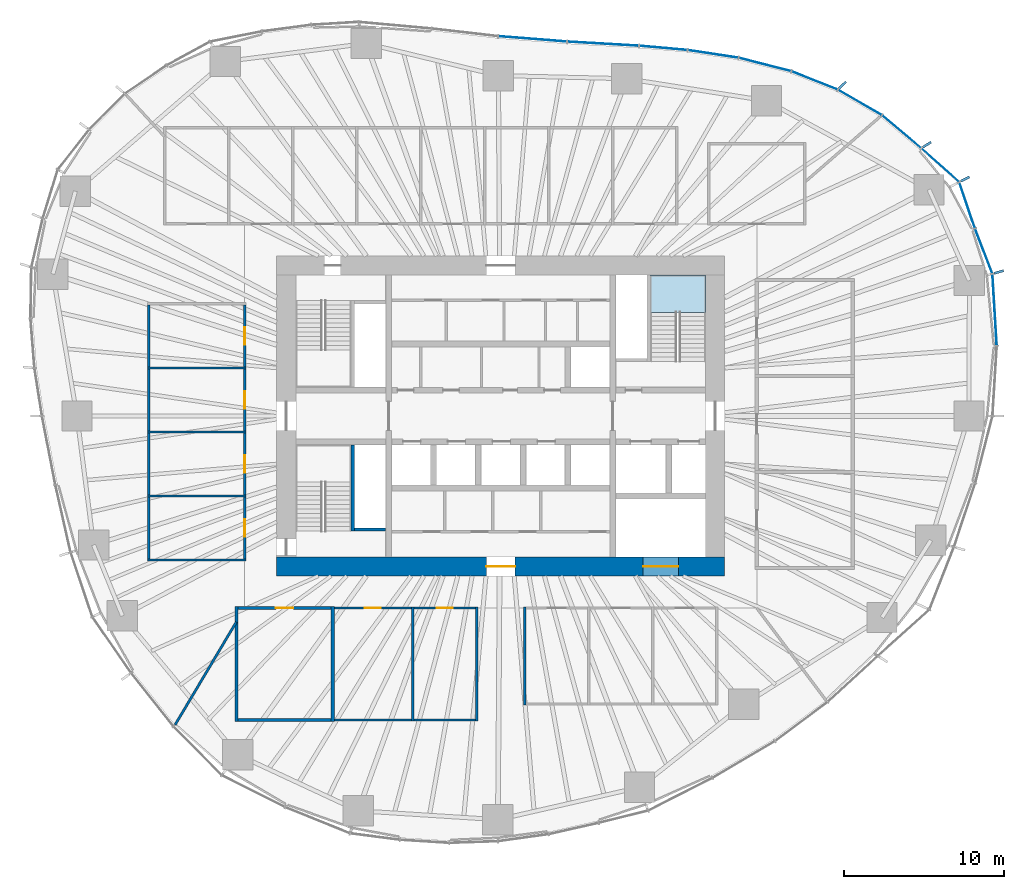
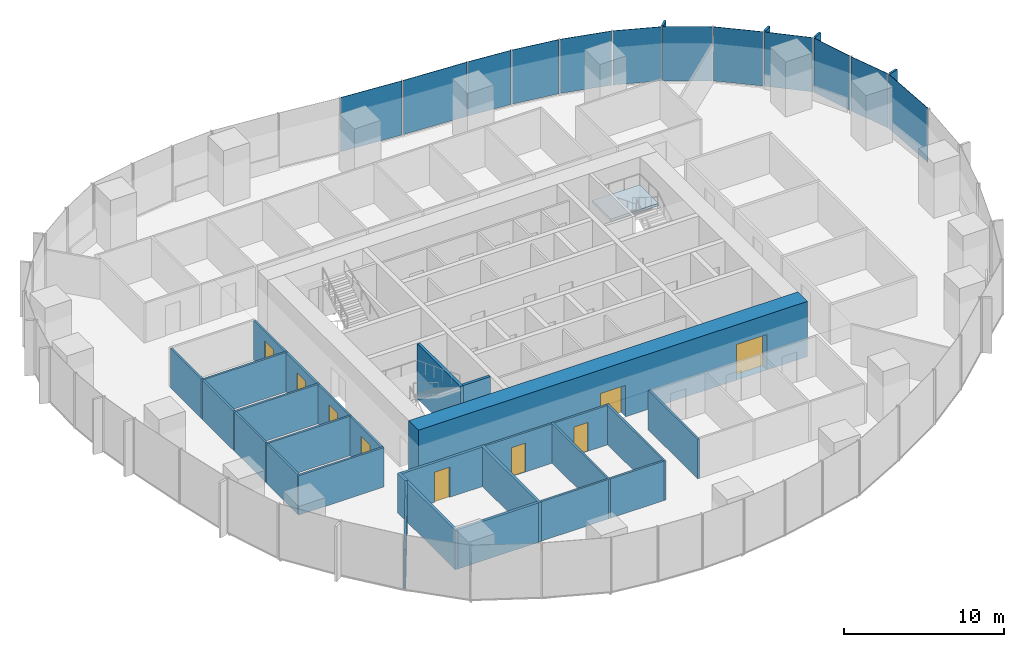
# One storey, part 8 of 20: 27 walls, 16 plates, 9 doors, 1 slab, 9 openings, 6 elements without a shape of their own.
"""IFC4 building model written with IfcOpenShell, lengths in metres."""

from ifc_helpers import new_model, si_unit, direction, frame, frame_2d, origin, origin_2d, place, context, subcontext, project, spatial, polyline, rectangle, outline, extrude, material, layer, layer_set, type_object, element, fill, aggregate, save


model = new_model("IFC4")

# Units and contexts
model_context = context("Model", 3, precision=1e-05, world=origin(), true_north=direction((0.0, 1.0)))
body_context = subcontext(model_context, "Body", "Model", "MODEL_VIEW")
ifc_project = project(units=[si_unit("LENGTHUNIT", "METRE"), si_unit("AREAUNIT", "SQUARE_METRE"), si_unit("VOLUMEUNIT", "CUBIC_METRE"), si_unit("PLANEANGLEUNIT", "RADIAN"), si_unit("MASSUNIT", "GRAM", prefix="KILO")], contexts=[model_context])

# Site, building, storey
site_placement = place(None, origin())
site = spatial("IfcSite", under=ifc_project, at=site_placement, CompositionType="ELEMENT")
building_placement = place(site_placement, origin())
building = spatial("IfcBuilding", under=site, at=building_placement, Name="Ghaith Harvest Tower", CompositionType="ELEMENT")
storey_placement = place(building_placement, frame((0.0, 0.0, 109.199951171875)))
storey = spatial("IfcBuildingStorey", under=building, at=storey_placement, Name="L22", CompositionType="ELEMENT", Elevation=109.199951171875)

# Curtain wall, plate
ifc_material_1 = material(Name="Black anodised aluminium and fritted glass", Category="aluminium")
curtain_wall_type = type_object("IfcCurtainWallType", Name="CW-L CURTAIN WALL", PredefinedType="NOTDEFINED", material=ifc_material_1)
curtain_wall_1_placement = place(storey_placement, origin())
curtain_wall_1 = element("IfcCurtainWall", 1, at=curtain_wall_1_placement, inside=storey, type_object=curtain_wall_type, Name="Curtain wall CW-L bay 01 L22", PredefinedType="NOTDEFINED")
ifc_material_2 = material(Name="Glass, dark solar-control fritted double glazed unit", Category="glass")
ifc_layer_1 = layer(ifc_material_2, 0.031982421875)
ifc_layer_set_1 = layer_set([ifc_layer_1], Name="CW-L VISION PANEL")
plate_type_1 = type_object("IfcPlateType", Name="CW-L VISION PANEL", PredefinedType="CURTAIN_PANEL", material=ifc_layer_set_1)
plate_1_placement = place(storey_placement, frame((30.863037109375, 6.63525390625, 0.080078125), z_axis=(0.0, 0.0, 1.0), x_axis=(-0.060320650032, 0.998179051663, 0.0)))
plate_1 = element("IfcPlate", 2, at=plate_1_placement, type_object=plate_type_1, Name="CW-L glass unit 2 bay 01 L22", PredefinedType="CURTAIN_PANEL", context=body_context, shape_type="SweptSolid", body=[
    extrude(rectangle(XDim=4.419189453125, YDim=0.031982421875, at=origin_2d()), origin(), (0.0, 0.0, 1.0), 4.1201171875),
])
aggregate(curtain_wall_1, [plate_1])

# Curtain wall, plates
curtain_wall_2_placement = place(storey_placement, origin())
curtain_wall_2 = element("IfcCurtainWall", 3, at=curtain_wall_2_placement, inside=storey, type_object=curtain_wall_type, Name="Curtain wall CW-L bay 02 L22", PredefinedType="NOTDEFINED")
plate_2_placement = place(storey_placement, frame((30.180908203125, 10.29833984375, 0.080078125), z_axis=(0.0, 0.0, 1.0), x_axis=(-0.359676824997, 0.933076943001, 0.0)))
plate_2 = element("IfcPlate", 4, at=plate_2_placement, type_object=plate_type_1, Name="CW-L glass unit 1 bay 02 L22", PredefinedType="CURTAIN_PANEL", context=body_context, shape_type="SweptSolid", body=[
    extrude(rectangle(XDim=2.95849609375, YDim=0.031982421875, at=origin_2d()), origin(), (0.0, 0.0, 1.0), 4.1201171875),
])
plate_3_placement = place(storey_placement, frame((29.142333984375, 13.163818359375, 0.080078125), z_axis=(0.0, 0.0, 1.0), x_axis=(-0.321853304376, 0.946789549194, 0.0)))
plate_3 = element("IfcPlate", 5, at=plate_3_placement, type_object=plate_type_1, Name="CW-L glass unit 2 bay 02 L22", PredefinedType="CURTAIN_PANEL", context=body_context, shape_type="SweptSolid", body=[
    extrude(rectangle(XDim=2.978759765625, YDim=0.031982421875, at=origin_2d()), origin(), (0.0, 0.0, 1.0), 4.1201171875),
])
plate_4_placement = place(storey_placement, frame((27.46533203125, 15.668701171875, 0.080078125), z_axis=(0.0, 0.0, 1.0), x_axis=(-0.746250544556, 0.665665174656, 0.0)))
plate_4 = element("IfcPlate", 6, at=plate_4_placement, type_object=plate_type_1, Name="CW-L glass unit 3 bay 02 L22", PredefinedType="CURTAIN_PANEL", context=body_context, shape_type="SweptSolid", body=[
    extrude(rectangle(XDim=3.094970703125, YDim=0.031982421875, at=origin_2d()), origin(), (0.0, 0.0, 1.0), 4.1201171875),
])
aggregate(curtain_wall_2, [plate_2, plate_3, plate_4])

curtain_wall_3_placement = place(storey_placement, origin())
curtain_wall_3 = element("IfcCurtainWall", 7, at=curtain_wall_3_placement, inside=storey, type_object=curtain_wall_type, Name="Curtain wall CW-L bay 03 L22", PredefinedType="NOTDEFINED")
plate_5_placement = place(storey_placement, frame((25.05126953125, 17.7587890625, 0.080078125), z_axis=(0.0, 0.0, 1.0), x_axis=(-0.765473064857, 0.643467937801, 0.0)))
plate_5 = element("IfcPlate", 8, at=plate_5_placement, type_object=plate_type_1, Name="CW-L glass unit 1 bay 03 L22", PredefinedType="CURTAIN_PANEL", context=body_context, shape_type="SweptSolid", body=[
    extrude(rectangle(XDim=3.13232421875, YDim=0.031982421875, at=origin_2d()), origin(), (0.0, 0.0, 1.0), 4.1201171875),
])
plate_6_placement = place(storey_placement, frame((22.444091796875, 19.590576171875, 0.080078125), z_axis=(0.0, 0.0, 1.0), x_axis=(-0.865232087993, 0.501371552751, 0.0)))
plate_6 = element("IfcPlate", 9, at=plate_6_placement, type_object=plate_type_1, Name="CW-L glass unit 2 bay 03 L22", PredefinedType="CURTAIN_PANEL", context=body_context, shape_type="SweptSolid", body=[
    extrude(rectangle(XDim=3.10498046875, YDim=0.031982421875, at=origin_2d()), origin(), (0.0, 0.0, 1.0), 4.1201171875),
])
plate_7_placement = place(storey_placement, frame((19.6142578125, 20.963623046875, 0.080078125), z_axis=(0.0, 0.0, 1.0), x_axis=(-0.929876534019, 0.367871759558, 0.0)))
plate_7 = element("IfcPlate", 10, at=plate_7_placement, type_object=plate_type_1, Name="CW-L glass unit 3 bay 03 L22", PredefinedType="CURTAIN_PANEL", context=body_context, shape_type="SweptSolid", body=[
    extrude(rectangle(XDim=3.042724609375, YDim=0.031982421875, at=origin_2d()), origin(), (0.0, 0.0, 1.0), 4.1201171875),
])
aggregate(curtain_wall_3, [plate_5, plate_6, plate_7])

curtain_wall_4_placement = place(storey_placement, origin())
curtain_wall_4 = element("IfcCurtainWall", 11, at=curtain_wall_4_placement, inside=storey, type_object=curtain_wall_type, Name="Curtain wall CW-L bay 04 L22", PredefinedType="NOTDEFINED")
plate_8_placement = place(storey_placement, frame((16.513427734375, 21.958740234375, 0.080078125), z_axis=(0.0, 0.0, 1.0), x_axis=(-0.96893110987, 0.247330758955, 0.0)))
plate_8 = element("IfcPlate", 12, at=plate_8_placement, type_object=plate_type_1, Name="CW-L glass unit 1 bay 04 L22", PredefinedType="CURTAIN_PANEL", context=body_context, shape_type="SweptSolid", body=[
    extrude(rectangle(XDim=3.3232421875, YDim=0.031982421875, at=origin_2d()), origin(), (0.0, 0.0, 1.0), 4.1201171875),
])
plate_9_placement = place(storey_placement, frame((13.2685546875, 22.621826171875, 0.080078125), z_axis=(0.0, 0.0, 1.0), x_axis=(-0.988678736369, 0.150047846542, 0.0)))
plate_9 = element("IfcPlate", 13, at=plate_9_placement, type_object=plate_type_1, Name="CW-L glass unit 2 bay 04 L22", PredefinedType="CURTAIN_PANEL", context=body_context, shape_type="SweptSolid", body=[
    extrude(rectangle(XDim=3.14892578125, YDim=0.031982421875, at=origin_2d()), origin(), (0.0, 0.0, 1.0), 4.1201171875),
])
plate_10_placement = place(storey_placement, frame((10.15966796875, 22.9970703125, 0.080078125), z_axis=(0.0, 0.0, 1.0), x_axis=(-0.996166190972, 0.087480969151, 0.0)))
plate_10 = element("IfcPlate", 14, at=plate_10_placement, type_object=plate_type_1, Name="CW-L glass unit 3 bay 04 L22", PredefinedType="CURTAIN_PANEL", context=body_context, shape_type="SweptSolid", body=[
    extrude(rectangle(XDim=2.957275390625, YDim=0.031982421875, at=origin_2d()), origin(), (0.0, 0.0, 1.0), 4.1201171875),
])
aggregate(curtain_wall_4, [plate_8, plate_9, plate_10])

curtain_wall_5_placement = place(storey_placement, origin())
curtain_wall_5 = element("IfcCurtainWall", 15, at=curtain_wall_5_placement, inside=storey, type_object=curtain_wall_type, Name="Curtain wall CW-L bay 05 L22", PredefinedType="NOTDEFINED")
plate_11_placement = place(storey_placement, frame((6.396728515625, 23.260498046875, 0.080078125), z_axis=(0.0, 0.0, 1.0), x_axis=(-0.998320798751, 0.05792739233, 0.0)))
plate_11 = element("IfcPlate", 16, at=plate_11_placement, type_object=plate_type_1, Name="CW-L glass unit 1 bay 05 L22", PredefinedType="CURTAIN_PANEL", context=body_context, shape_type="SweptSolid", body=[
    extrude(rectangle(XDim=4.427734375, YDim=0.031982421875, at=origin_2d()), origin(), (0.0, 0.0, 1.0), 4.1201171875),
])
plate_12_placement = place(storey_placement, frame((1.9921875, 23.560302734375, 0.080078125), z_axis=(0.0, 0.0, 1.0), x_axis=(-0.996925121312, 0.078360082291, 0.0)))
plate_12 = element("IfcPlate", 17, at=plate_12_placement, type_object=plate_type_1, Name="CW-L glass unit 2 bay 05 L22", PredefinedType="CURTAIN_PANEL", context=body_context, shape_type="SweptSolid", body=[
    extrude(rectangle(XDim=4.242431640625, YDim=0.031982421875, at=origin_2d()), origin(), (0.0, 0.0, 1.0), 4.1201171875),
])
aggregate(curtain_wall_5, [plate_11, plate_12])

# Stair, slab
ifc_material_3 = material(Name="Concrete C40/50, precast", Category="concrete")
stair_type = type_object("IfcStairType", Name="CORE STAIR 24R", PredefinedType="HALF_TURN_STAIR", material=ifc_material_3)
stair_placement = place(storey_placement, origin())
stair = element("IfcStair", 18, at=stair_placement, inside=storey, type_object=stair_type, Name="Stair ST2 L22", PredefinedType="HALF_TURN_STAIR")
ifc_material_4 = material(Name="Concrete C40/50, precast", Category="concrete")
ifc_layer_2 = layer(ifc_material_4, 0.179931640625)
ifc_layer_set_2 = layer_set([ifc_layer_2], Name="STAIR LANDING 180")
slab_type = type_object("IfcSlabType", Name="STAIR LANDING 180", PredefinedType="LANDING", material=ifc_layer_set_2)
slab_placement = place(storey_placement, frame((0.0, 0.0, 1.920166015625)))
slab = element("IfcSlab", 19, at=slab_placement, type_object=slab_type, Name="ST2 landing 1", PredefinedType="LANDING", context=body_context, shape_type="SweptSolid", body=[
    extrude(outline(polyline([(12.800048828125, 6.4599609375), (12.800048828125, 8.800048828125), (9.35009765625, 8.800048828125), (9.35009765625, 6.4599609375), (12.800048828125, 6.4599609375)])), origin(), (0.0, 0.0, 1.0), 0.179931640625),
])
aggregate(stair, [slab])

# Plates
ifc_material_5 = material(Name="Glassfibre-reinforced concrete", Category="concrete")
ifc_layer_3 = layer(ifc_material_5, 0.14990234375)
ifc_layer_set_3 = layer_set([ifc_layer_3], Name="SUN-BREAKER FIN 600x150")
plate_type_2 = type_object("IfcPlateType", Name="SUN-BREAKER FIN 600x150", PredefinedType="USERDEFINED", material=ifc_layer_set_3)
for number, where, z_axis, x_axis, name in (
    (20, (31.130859375, 8.99755859375, 0.0), (0.0, 0.0, 1.0), (0.960680349985, 0.277656739792, 0.0), "Sun-breaker fin CW-L 1 bay 02 L22"),
    (21, (29.024169921875, 14.802734375, 0.0), (0.0, 0.0, 1.0), (0.890830752257, 0.454335306611, 0.0), "Sun-breaker fin CW-L 3 bay 02 L22"),
    (22, (26.635009765625, 16.95068359375, 0.0), (0.0, 0.0, 1.0), (0.843643971464, 0.536903016766, 0.0), "Sun-breaker fin CW-L 1 bay 03 L22"),
    (23, (21.367919921875, 20.68115234375, 0.0), (0.0, 0.0, 1.0), (0.7185589652, 0.69546604053, 0.0), "Sun-breaker fin CW-L 3 bay 03 L22"),
):
    element("IfcPlate", number, at=place(storey_placement, frame(where, z_axis=z_axis, x_axis=x_axis)), inside=storey, type_object=plate_type_2, Name=name, ObjectType="SUN-BREAKER FIN", PredefinedType="USERDEFINED", context=body_context, shape_type="SweptSolid", body=[
        extrude(rectangle(XDim=0.60009765625, YDim=0.14990234375, at=origin_2d()), origin(), (0.0, 0.0, 1.0), 4.199951171875),
    ])

# Walls
ifc_material_6 = material(Name="Twin-stud gypsum board, acoustic", Category="gypsum")
ifc_layer_4 = layer(ifc_material_6, 0.199951171875)
ifc_layer_set_4 = layer_set([ifc_layer_4], Name="ACOUSTIC PARTITION 200")
wall_type_1 = type_object("IfcWallType", Name="ACOUSTIC PARTITION 200", PredefinedType="PARTITIONING", material=ifc_layer_set_4)
for number, where, z_axis, x_axis, name in (
    (24, (-16.5, -11.89990234375, 0.0), (0.0, 0.0, 1.0), (0.0, -1.0, 0.0), "Partition L22 row S4 cross wall 1"),
    (25, (-10.5, -11.89990234375, 0.0), (0.0, 0.0, 1.0), (0.0, -1.0, 0.0), "Partition L22 row S4 cross wall 2"),
):
    element("IfcWall", number, at=place(storey_placement, frame(where, z_axis=z_axis, x_axis=x_axis)), inside=storey, type_object=wall_type_1, Name=name, PredefinedType="PARTITIONING", context=body_context, shape_type="SweptSolid", body=[
        extrude(rectangle(XDim=7.2001953125, YDim=0.199951171875, at=frame_2d((3.60009765625, 0.0))), origin(), (0.0, 0.0, 1.0), 3.0),
    ])

# Wall, opening, door
wall_1_placement = place(storey_placement, frame((-16.39990234375, -12.0, 0.0), z_axis=(0.0, 0.0, 1.0), x_axis=(1.0, 0.0, 0.0)))
wall_1 = element("IfcWall", 26, at=wall_1_placement, inside=storey, type_object=wall_type_1, Name="Partition L22-13", PredefinedType="PARTITIONING", context=body_context, shape_type="SweptSolid", body=[
    extrude(rectangle(XDim=5.7998046875, YDim=0.199951171875, at=frame_2d((2.89990234375, 0.0))), origin(), (0.0, 0.0, 1.0), 3.0),
])
opening_1_placement = place(wall_1_placement, frame((2.35009765625, 0.0, 0.0)))
opening_1 = element("IfcOpeningElement", 27, at=opening_1_placement, cuts=wall_1, Name="Opening 22-042", PredefinedType="OPENING", context=body_context, shape_type="SweptSolid", body=[
    extrude(rectangle(XDim=1.10009765625, YDim=2.300048828125, at=frame_2d((0.550048828125, 1.14990234375))), frame((0.0, 0.10986328125, 0.0), z_axis=(0.0, -1.0, 0.0), x_axis=(1.0, 0.0, 0.0)), (0.0, 0.0, 1.0), 0.219970703125),
])
ifc_material_7 = material(Name="Timber-framed glazed door", Category="wood")
door_type_1 = type_object("IfcDoorType", Name="D12 GLAZED OFFICE 1100x2300", OperationType="SINGLE_SWING_LEFT", PredefinedType="DOOR", material=ifc_material_7)
door_1_placement = place(opening_1_placement, origin())
door_1 = element("IfcDoor", 28, at=door_1_placement, inside=storey, type_object=door_type_1, Name="Quiet room door", OperationType="SINGLE_SWING_LEFT", OverallHeight=2.300048828125, OverallWidth=1.10009765625, PredefinedType="DOOR", context=body_context, shape_type="SweptSolid", body=[
    extrude(rectangle(XDim=1.10009765625, YDim=2.300048828125, at=frame_2d((0.550048828125, 1.14990234375))), frame((0.0, 0.02490234375, 0.0), z_axis=(0.0, -1.0, 0.0), x_axis=(1.0, 0.0, 0.0)), (0.0, 0.0, 1.0), 0.050048828125),
])
fill(opening_1, door_1)

# Wall
wall_2_placement = place(storey_placement, frame((-16.39990234375, -19.0, 0.0), z_axis=(0.0, 0.0, 1.0), x_axis=(1.0, 0.0, 0.0)))
element("IfcWall", 29, at=wall_2_placement, inside=storey, type_object=wall_type_1, Name="Partition L22-13", PredefinedType="PARTITIONING", context=body_context, shape_type="SweptSolid", body=[
    extrude(rectangle(XDim=5.7998046875, YDim=0.199951171875, at=frame_2d((2.89990234375, 0.0))), origin(), (0.0, 0.0, 1.0), 3.0),
])

# Wall, openings, doors
ifc_material_8 = material(Name="Concrete C60/75", Category="concrete")
ifc_layer_5 = layer(ifc_material_8, 1.199951171875)
ifc_layer_set_5 = layer_set([ifc_layer_5], Name="CORE WALL CW1200 C60")
wall_type_2 = type_object("IfcWallType", Name="CORE WALL CW1200 C60", PredefinedType="SHEAR", material=ifc_layer_set_5)
wall_3_placement = place(storey_placement, frame((-14.0, -9.39990234375, 0.0), z_axis=(0.0, 0.0, 1.0), x_axis=(1.0, 0.0, 0.0)))
wall_3 = element("IfcWall", 30, at=wall_3_placement, inside=storey, type_object=wall_type_2, Name="Core wall S L22", PredefinedType="SHEAR", context=body_context, shape_type="SweptSolid", body=[
    extrude(rectangle(XDim=28.0, YDim=1.199951171875, at=frame_2d((14.0, 0.0))), origin(), (0.0, 0.0, 1.0), 4.199951171875),
])
opening_2_placement = place(wall_3_placement, frame((13.10009765625, 0.0, 0.0)))
opening_2 = element("IfcOpeningElement", 31, at=opening_2_placement, cuts=wall_3, Name="Opening 22-022", PredefinedType="OPENING", context=body_context, shape_type="SweptSolid", body=[
    extrude(rectangle(XDim=1.800048828125, YDim=2.39990234375, at=frame_2d((0.89990234375, 1.199951171875))), frame((0.0, 0.60986328125, 0.0), z_axis=(0.0, -1.0, 0.0), x_axis=(1.0, 0.0, 0.0)), (0.0, 0.0, 1.0), 1.219970703125),
])
opening_3_placement = place(wall_3_placement, frame((22.89990234375, 0.0, 0.0)))
opening_3 = element("IfcOpeningElement", 32, at=opening_3_placement, cuts=wall_3, Name="Opening 22-029", PredefinedType="OPENING", context=body_context, shape_type="SweptSolid", body=[
    extrude(rectangle(XDim=2.199951171875, YDim=2.699951171875, at=frame_2d((1.10009765625, 1.35009765625))), frame((0.0, 0.60986328125, 0.0), z_axis=(0.0, -1.0, 0.0), x_axis=(1.0, 0.0, 0.0)), (0.0, 0.0, 1.0), 1.219970703125),
])
ifc_material_9 = material(Name="Steel fire door", Category="steel")
door_type_2 = type_object("IfcDoorType", Name="D4 FD90 PAIR 1800x2400", OperationType="DOUBLE_DOOR_SINGLE_SWING", PredefinedType="DOOR", material=ifc_material_9)
door_2_placement = place(opening_2_placement, origin())
door_2 = element("IfcDoor", 33, at=door_2_placement, inside=storey, type_object=door_type_2, Name="Core service corridor doors", OperationType="DOUBLE_DOOR_SINGLE_SWING", OverallHeight=2.39990234375, OverallWidth=1.800048828125, PredefinedType="DOOR", context=body_context, shape_type="SweptSolid", body=[
    extrude(rectangle(XDim=1.800048828125, YDim=2.39990234375, at=frame_2d((0.89990234375, 1.199951171875))), frame((0.0, 0.02490234375, 0.0), z_axis=(0.0, -1.0, 0.0), x_axis=(1.0, 0.0, 0.0)), (0.0, 0.0, 1.0), 0.050048828125),
])
fill(opening_2, door_2)
ifc_material_10 = material(Name="Steel fire door", Category="steel")
door_type_3 = type_object("IfcDoorType", Name="LD3 LANDING 2200x2700", OperationType="DOUBLE_DOOR_SLIDING", PredefinedType="DOOR", material=ifc_material_10)
door_3_placement = place(opening_3_placement, origin())
door_3 = element("IfcDoor", 34, at=door_3_placement, inside=storey, type_object=door_type_3, Name="Landing door, goods lift GL1", OperationType="DOUBLE_DOOR_SLIDING", OverallHeight=2.699951171875, OverallWidth=2.199951171875, PredefinedType="DOOR", context=body_context, shape_type="SweptSolid", body=[
    extrude(rectangle(XDim=2.199951171875, YDim=2.699951171875, at=frame_2d((1.10009765625, 1.35009765625))), frame((0.0, 0.02490234375, 0.0), z_axis=(0.0, -1.0, 0.0), x_axis=(1.0, 0.0, 0.0)), (0.0, 0.0, 1.0), 0.050048828125),
])
fill(opening_3, door_3)

# Walls
ifc_material_11 = material(Name="Gypsum board on steel studs", Category="steel")
ifc_layer_6 = layer(ifc_material_11, 0.14990234375)
ifc_layer_set_6 = layer_set([ifc_layer_6], Name="PARTITION 150")
wall_type_3 = type_object("IfcWallType", Name="PARTITION 150", PredefinedType="PARTITIONING", material=ifc_layer_set_6)
for number, where, z_axis, x_axis, name in (
    (35, (-5.5, -11.925048828125, 0.0), (0.0, 0.0, 1.0), (0.0, -1.0, 0.0), "Partition L22 row S4 cross wall 3"),
    (36, (-1.5, -11.925048828125, 0.0), (0.0, 0.0, 1.0), (0.0, -1.0, 0.0), "Partition L22 row S4 cross wall 4"),
):
    element("IfcWall", number, at=place(storey_placement, frame(where, z_axis=z_axis, x_axis=x_axis)), inside=storey, type_object=wall_type_3, Name=name, PredefinedType="PARTITIONING", context=body_context, shape_type="SweptSolid", body=[
        extrude(rectangle(XDim=7.14990234375, YDim=0.14990234375, at=frame_2d((3.574951171875, 0.0))), origin(), (0.0, 0.0, 1.0), 3.0),
    ])

# Wall, opening, door
wall_4_placement = place(storey_placement, frame((-10.39990234375, -12.0, 0.0), z_axis=(0.0, 0.0, 1.0), x_axis=(1.0, 0.0, 0.0)))
wall_4 = element("IfcWall", 37, at=wall_4_placement, inside=storey, type_object=wall_type_3, Name="Partition L22-14", PredefinedType="PARTITIONING", context=body_context, shape_type="SweptSolid", body=[
    extrude(rectangle(XDim=4.824951171875, YDim=0.14990234375, at=frame_2d((2.41259765625, 0.0))), origin(), (0.0, 0.0, 1.0), 3.0),
])
opening_4_placement = place(wall_4_placement, frame((1.91259765625, 0.0, 0.0)))
opening_4 = element("IfcOpeningElement", 38, at=opening_4_placement, cuts=wall_4, Name="Opening 22-043", PredefinedType="OPENING", context=body_context, shape_type="SweptSolid", body=[
    extrude(rectangle(XDim=1.0, YDim=2.199951171875, at=frame_2d((0.5, 1.10009765625))), frame((0.0, 0.0849609375, 0.0), z_axis=(0.0, -1.0, 0.0), x_axis=(1.0, 0.0, 0.0)), (0.0, 0.0, 1.0), 0.169921875),
])
ifc_material_12 = material(Name="Timber door", Category="wood")
door_type_4 = type_object("IfcDoorType", Name="D1 SINGLE 1000x2200", OperationType="SINGLE_SWING_LEFT", PredefinedType="DOOR", material=ifc_material_12)
door_4_placement = place(opening_4_placement, origin())
door_4 = element("IfcDoor", 39, at=door_4_placement, inside=storey, type_object=door_type_4, Name="Print room door", OperationType="SINGLE_SWING_LEFT", OverallHeight=2.199951171875, OverallWidth=1.0, PredefinedType="DOOR", context=body_context, shape_type="SweptSolid", body=[
    extrude(rectangle(XDim=1.0, YDim=2.199951171875, at=frame_2d((0.5, 1.10009765625))), frame((0.0, 0.02490234375, 0.0), z_axis=(0.0, -1.0, 0.0), x_axis=(1.0, 0.0, 0.0)), (0.0, 0.0, 1.0), 0.050048828125),
])
fill(opening_4, door_4)

# Wall
wall_5_placement = place(storey_placement, frame((-10.39990234375, -19.0, 0.0), z_axis=(0.0, 0.0, 1.0), x_axis=(1.0, 0.0, 0.0)))
element("IfcWall", 40, at=wall_5_placement, inside=storey, type_object=wall_type_3, Name="Partition L22-14", PredefinedType="PARTITIONING", context=body_context, shape_type="SweptSolid", body=[
    extrude(rectangle(XDim=4.824951171875, YDim=0.14990234375, at=frame_2d((2.41259765625, 0.0))), origin(), (0.0, 0.0, 1.0), 3.0),
])

# Wall, opening, door
wall_6_placement = place(storey_placement, frame((-5.425048828125, -12.0, 0.0), z_axis=(0.0, 0.0, 1.0), x_axis=(1.0, 0.0, 0.0)))
wall_6 = element("IfcWall", 41, at=wall_6_placement, inside=storey, type_object=wall_type_3, Name="Partition L22-15", PredefinedType="PARTITIONING", context=body_context, shape_type="SweptSolid", body=[
    extrude(rectangle(XDim=3.85009765625, YDim=0.14990234375, at=frame_2d((1.925048828125, 0.0))), origin(), (0.0, 0.0, 1.0), 3.0),
])
opening_5_placement = place(wall_6_placement, frame((1.425048828125, 0.0, 0.0)))
opening_5 = element("IfcOpeningElement", 42, at=opening_5_placement, cuts=wall_6, Name="Opening 22-044", PredefinedType="OPENING", context=body_context, shape_type="SweptSolid", body=[
    extrude(rectangle(XDim=1.0, YDim=2.199951171875, at=frame_2d((0.5, 1.10009765625))), frame((0.0, 0.0849609375, 0.0), z_axis=(0.0, -1.0, 0.0), x_axis=(1.0, 0.0, 0.0)), (0.0, 0.0, 1.0), 0.169921875),
])
door_5_placement = place(opening_5_placement, origin())
door_5 = element("IfcDoor", 43, at=door_5_placement, inside=storey, type_object=door_type_4, Name="Store door", OperationType="SINGLE_SWING_LEFT", OverallHeight=2.199951171875, OverallWidth=1.0, PredefinedType="DOOR", context=body_context, shape_type="SweptSolid", body=[
    extrude(rectangle(XDim=1.0, YDim=2.199951171875, at=frame_2d((0.5, 1.10009765625))), frame((0.0, 0.02490234375, 0.0), z_axis=(0.0, -1.0, 0.0), x_axis=(1.0, 0.0, 0.0)), (0.0, 0.0, 1.0), 0.050048828125),
])
fill(opening_5, door_5)

# Walls
wall_7_placement = place(storey_placement, frame((-5.425048828125, -19.0, 0.0), z_axis=(0.0, 0.0, 1.0), x_axis=(1.0, 0.0, 0.0)))
element("IfcWall", 44, at=wall_7_placement, inside=storey, type_object=wall_type_3, Name="Partition L22-15", PredefinedType="PARTITIONING", context=body_context, shape_type="SweptSolid", body=[
    extrude(rectangle(XDim=3.85009765625, YDim=0.14990234375, at=frame_2d((1.925048828125, 0.0))), origin(), (0.0, 0.0, 1.0), 3.0),
])
for number, where, z_axis, x_axis, name in (
    (45, (1.5, -11.925048828125, 0.0), (0.0, 0.0, 1.0), (0.0, -1.0, 0.0), "Partition L22 row S5 cross wall 1"),
    (46, (-15.925048828125, -9.0, 0.0), (0.0, 0.0, 1.0), (-1.0, 0.0, 0.0), "Partition L22 row W6 cross wall 1"),
    (47, (-15.925048828125, -5.0, 0.0), (0.0, 0.0, 1.0), (-1.0, 0.0, 0.0), "Partition L22 row W6 cross wall 2"),
    (48, (-15.925048828125, -1.0, 0.0), (0.0, 0.0, 1.0), (-1.0, 0.0, 0.0), "Partition L22 row W6 cross wall 3"),
    (49, (-15.925048828125, 3.0, 0.0), (0.0, 0.0, 1.0), (-1.0, 0.0, 0.0), "Partition L22 row W6 cross wall 4"),
):
    element("IfcWall", number, at=place(storey_placement, frame(where, z_axis=z_axis, x_axis=x_axis)), inside=storey, type_object=wall_type_3, Name=name, PredefinedType="PARTITIONING", context=body_context, shape_type="SweptSolid", body=[
        extrude(rectangle(XDim=6.14990234375, YDim=0.14990234375, at=frame_2d((3.074951171875, 0.0))), origin(), (0.0, 0.0, 1.0), 3.0),
    ])

# Wall, opening, door
wall_8_placement = place(storey_placement, frame((-16.0, -8.925048828125, 0.0), z_axis=(0.0, 0.0, 1.0), x_axis=(0.0, 1.0, 0.0)))
wall_8 = element("IfcWall", 50, at=wall_8_placement, inside=storey, type_object=wall_type_3, Name="Partition L22-19", PredefinedType="PARTITIONING", context=body_context, shape_type="SweptSolid", body=[
    extrude(rectangle(XDim=3.85009765625, YDim=0.14990234375, at=frame_2d((1.925048828125, 0.0))), origin(), (0.0, 0.0, 1.0), 3.0),
])
opening_6_placement = place(wall_8_placement, frame((1.375, 0.0, 0.0)))
opening_6 = element("IfcOpeningElement", 51, at=opening_6_placement, cuts=wall_8, Name="Opening 22-048", PredefinedType="OPENING", context=body_context, shape_type="SweptSolid", body=[
    extrude(rectangle(XDim=1.10009765625, YDim=2.300048828125, at=frame_2d((0.550048828125, 1.14990234375))), frame((0.0, 0.0849609375, 0.0), z_axis=(0.0, -1.0, 0.0), x_axis=(1.0, 0.0, 0.0)), (0.0, 0.0, 1.0), 0.169921875),
])
door_6_placement = place(opening_6_placement, origin())
door_6 = element("IfcDoor", 52, at=door_6_placement, inside=storey, type_object=door_type_1, Name="Office door", OperationType="SINGLE_SWING_LEFT", OverallHeight=2.300048828125, OverallWidth=1.10009765625, PredefinedType="DOOR", context=body_context, shape_type="SweptSolid", body=[
    extrude(rectangle(XDim=1.10009765625, YDim=2.300048828125, at=frame_2d((0.550048828125, 1.14990234375))), frame((0.0, 0.02490234375, 0.0), z_axis=(0.0, -1.0, 0.0), x_axis=(1.0, 0.0, 0.0)), (0.0, 0.0, 1.0), 0.050048828125),
])
fill(opening_6, door_6)

# Wall
wall_9_placement = place(storey_placement, frame((-22.0, -8.925048828125, 0.0), z_axis=(0.0, 0.0, 1.0), x_axis=(0.0, 1.0, 0.0)))
element("IfcWall", 53, at=wall_9_placement, inside=storey, type_object=wall_type_3, Name="Partition L22-19", PredefinedType="PARTITIONING", context=body_context, shape_type="SweptSolid", body=[
    extrude(rectangle(XDim=3.85009765625, YDim=0.14990234375, at=frame_2d((1.925048828125, 0.0))), origin(), (0.0, 0.0, 1.0), 3.0),
])

# Wall, opening, door
wall_10_placement = place(storey_placement, frame((-16.0, -4.925048828125, 0.0), z_axis=(0.0, 0.0, 1.0), x_axis=(0.0, 1.0, 0.0)))
wall_10 = element("IfcWall", 54, at=wall_10_placement, inside=storey, type_object=wall_type_3, Name="Partition L22-20", PredefinedType="PARTITIONING", context=body_context, shape_type="SweptSolid", body=[
    extrude(rectangle(XDim=3.85009765625, YDim=0.14990234375, at=frame_2d((1.925048828125, 0.0))), origin(), (0.0, 0.0, 1.0), 3.0),
])
opening_7_placement = place(wall_10_placement, frame((1.375, 0.0, 0.0)))
opening_7 = element("IfcOpeningElement", 55, at=opening_7_placement, cuts=wall_10, Name="Opening 22-049", PredefinedType="OPENING", context=body_context, shape_type="SweptSolid", body=[
    extrude(rectangle(XDim=1.10009765625, YDim=2.300048828125, at=frame_2d((0.550048828125, 1.14990234375))), frame((0.0, 0.0849609375, 0.0), z_axis=(0.0, -1.0, 0.0), x_axis=(1.0, 0.0, 0.0)), (0.0, 0.0, 1.0), 0.169921875),
])
door_7_placement = place(opening_7_placement, origin())
door_7 = element("IfcDoor", 56, at=door_7_placement, inside=storey, type_object=door_type_1, Name="Office door", OperationType="SINGLE_SWING_LEFT", OverallHeight=2.300048828125, OverallWidth=1.10009765625, PredefinedType="DOOR", context=body_context, shape_type="SweptSolid", body=[
    extrude(rectangle(XDim=1.10009765625, YDim=2.300048828125, at=frame_2d((0.550048828125, 1.14990234375))), frame((0.0, 0.02490234375, 0.0), z_axis=(0.0, -1.0, 0.0), x_axis=(1.0, 0.0, 0.0)), (0.0, 0.0, 1.0), 0.050048828125),
])
fill(opening_7, door_7)

# Wall
wall_11_placement = place(storey_placement, frame((-22.0, -4.925048828125, 0.0), z_axis=(0.0, 0.0, 1.0), x_axis=(0.0, 1.0, 0.0)))
element("IfcWall", 57, at=wall_11_placement, inside=storey, type_object=wall_type_3, Name="Partition L22-20", PredefinedType="PARTITIONING", context=body_context, shape_type="SweptSolid", body=[
    extrude(rectangle(XDim=3.85009765625, YDim=0.14990234375, at=frame_2d((1.925048828125, 0.0))), origin(), (0.0, 0.0, 1.0), 3.0),
])

# Wall, opening, door
wall_12_placement = place(storey_placement, frame((-16.0, -0.925048828125, 0.0), z_axis=(0.0, 0.0, 1.0), x_axis=(0.0, 1.0, 0.0)))
wall_12 = element("IfcWall", 58, at=wall_12_placement, inside=storey, type_object=wall_type_3, Name="Partition L22-21", PredefinedType="PARTITIONING", context=body_context, shape_type="SweptSolid", body=[
    extrude(rectangle(XDim=3.85009765625, YDim=0.14990234375, at=frame_2d((1.925048828125, 0.0))), origin(), (0.0, 0.0, 1.0), 3.0),
])
opening_8_placement = place(wall_12_placement, frame((1.375, 0.0, 0.0)))
opening_8 = element("IfcOpeningElement", 59, at=opening_8_placement, cuts=wall_12, Name="Opening 22-050", PredefinedType="OPENING", context=body_context, shape_type="SweptSolid", body=[
    extrude(rectangle(XDim=1.10009765625, YDim=2.300048828125, at=frame_2d((0.550048828125, 1.14990234375))), frame((0.0, 0.0849609375, 0.0), z_axis=(0.0, -1.0, 0.0), x_axis=(1.0, 0.0, 0.0)), (0.0, 0.0, 1.0), 0.169921875),
])
door_8_placement = place(opening_8_placement, origin())
door_8 = element("IfcDoor", 60, at=door_8_placement, inside=storey, type_object=door_type_1, Name="Office door", OperationType="SINGLE_SWING_LEFT", OverallHeight=2.300048828125, OverallWidth=1.10009765625, PredefinedType="DOOR", context=body_context, shape_type="SweptSolid", body=[
    extrude(rectangle(XDim=1.10009765625, YDim=2.300048828125, at=frame_2d((0.550048828125, 1.14990234375))), frame((0.0, 0.02490234375, 0.0), z_axis=(0.0, -1.0, 0.0), x_axis=(1.0, 0.0, 0.0)), (0.0, 0.0, 1.0), 0.050048828125),
])
fill(opening_8, door_8)

# Wall
wall_13_placement = place(storey_placement, frame((-22.0, -0.925048828125, 0.0), z_axis=(0.0, 0.0, 1.0), x_axis=(0.0, 1.0, 0.0)))
element("IfcWall", 61, at=wall_13_placement, inside=storey, type_object=wall_type_3, Name="Partition L22-21", PredefinedType="PARTITIONING", context=body_context, shape_type="SweptSolid", body=[
    extrude(rectangle(XDim=3.85009765625, YDim=0.14990234375, at=frame_2d((1.925048828125, 0.0))), origin(), (0.0, 0.0, 1.0), 3.0),
])

# Wall, opening, door
wall_14_placement = place(storey_placement, frame((-16.0, 3.074951171875, 0.0), z_axis=(0.0, 0.0, 1.0), x_axis=(0.0, 1.0, 0.0)))
wall_14 = element("IfcWall", 62, at=wall_14_placement, inside=storey, type_object=wall_type_3, Name="Partition L22-22", PredefinedType="PARTITIONING", context=body_context, shape_type="SweptSolid", body=[
    extrude(rectangle(XDim=3.85009765625, YDim=0.14990234375, at=frame_2d((1.925048828125, 0.0))), origin(), (0.0, 0.0, 1.0), 3.0),
])
opening_9_placement = place(wall_14_placement, frame((1.375, 0.0, 0.0)))
opening_9 = element("IfcOpeningElement", 63, at=opening_9_placement, cuts=wall_14, Name="Opening 22-051", PredefinedType="OPENING", context=body_context, shape_type="SweptSolid", body=[
    extrude(rectangle(XDim=1.10009765625, YDim=2.300048828125, at=frame_2d((0.550048828125, 1.14990234375))), frame((0.0, 0.0849609375, 0.0), z_axis=(0.0, -1.0, 0.0), x_axis=(1.0, 0.0, 0.0)), (0.0, 0.0, 1.0), 0.169921875),
])
door_9_placement = place(opening_9_placement, origin())
door_9 = element("IfcDoor", 64, at=door_9_placement, inside=storey, type_object=door_type_1, Name="Office door", OperationType="SINGLE_SWING_LEFT", OverallHeight=2.300048828125, OverallWidth=1.10009765625, PredefinedType="DOOR", context=body_context, shape_type="SweptSolid", body=[
    extrude(rectangle(XDim=1.10009765625, YDim=2.300048828125, at=frame_2d((0.550048828125, 1.14990234375))), frame((0.0, 0.02490234375, 0.0), z_axis=(0.0, -1.0, 0.0), x_axis=(1.0, 0.0, 0.0)), (0.0, 0.0, 1.0), 0.050048828125),
])
fill(opening_9, door_9)

# Walls
wall_15_placement = place(storey_placement, frame((-22.0, 3.074951171875, 0.0), z_axis=(0.0, 0.0, 1.0), x_axis=(0.0, 1.0, 0.0)))
element("IfcWall", 65, at=wall_15_placement, inside=storey, type_object=wall_type_3, Name="Partition L22-22", PredefinedType="PARTITIONING", context=body_context, shape_type="SweptSolid", body=[
    extrude(rectangle(XDim=3.85009765625, YDim=0.14990234375, at=frame_2d((1.925048828125, 0.0))), origin(), (0.0, 0.0, 1.0), 3.0),
])
wall_16_placement = place(storey_placement, frame((-16.52001953125, -12.87353515625, 0.0), z_axis=(0.0, 0.0, 1.0), x_axis=(-0.511514296511, -0.85927476657, 0.0)))
element("IfcWall", 66, at=wall_16_placement, inside=storey, type_object=wall_type_3, Name="Partition L22 zone division", PredefinedType="PARTITIONING", context=body_context, shape_type="SweptSolid", body=[
    extrude(rectangle(XDim=7.473876953125, YDim=0.14990234375, at=frame_2d((3.73681640625, 0.0))), origin(), (0.0, 0.0, 1.0), 3.0),
])
ifc_material_13 = material(Name="Concrete C40/50", Category="concrete")
ifc_layer_7 = layer(ifc_material_13, 0.199951171875)
ifc_layer_set_7 = layer_set([ifc_layer_7], Name="STAIR SPINE WALL RC200")
wall_type_4 = type_object("IfcWallType", Name="STAIR SPINE WALL RC200", PredefinedType="SOLIDWALL", material=ifc_layer_set_7)
wall_17_placement = place(storey_placement, frame((-9.25, -7.199951171875, 0.0), z_axis=(0.0, 0.0, 1.0), x_axis=(0.0, 1.0, 0.0)))
element("IfcWall", 67, at=wall_17_placement, inside=storey, type_object=wall_type_4, Name="Stair ST3 spine wall L22", PredefinedType="SOLIDWALL", context=body_context, shape_type="SweptSolid", body=[
    extrude(rectangle(XDim=5.39990234375, YDim=0.199951171875, at=frame_2d((2.699951171875, 0.0))), origin(), (0.0, 0.0, 1.0), 4.199951171875),
])
wall_18_placement = place(storey_placement, frame((-9.14990234375, -7.10009765625, 0.0), z_axis=(0.0, 0.0, 1.0), x_axis=(1.0, 0.0, 0.0)))
element("IfcWall", 68, at=wall_18_placement, inside=storey, type_object=wall_type_4, Name="Stair ST3 spine wall return L22", PredefinedType="SOLIDWALL", context=body_context, shape_type="SweptSolid", body=[
    extrude(rectangle(XDim=1.949951171875, YDim=0.199951171875, at=frame_2d((0.97509765625, 0.0))), origin(), (0.0, 0.0, 1.0), 4.199951171875),
])

save(model, "model.ifc")
